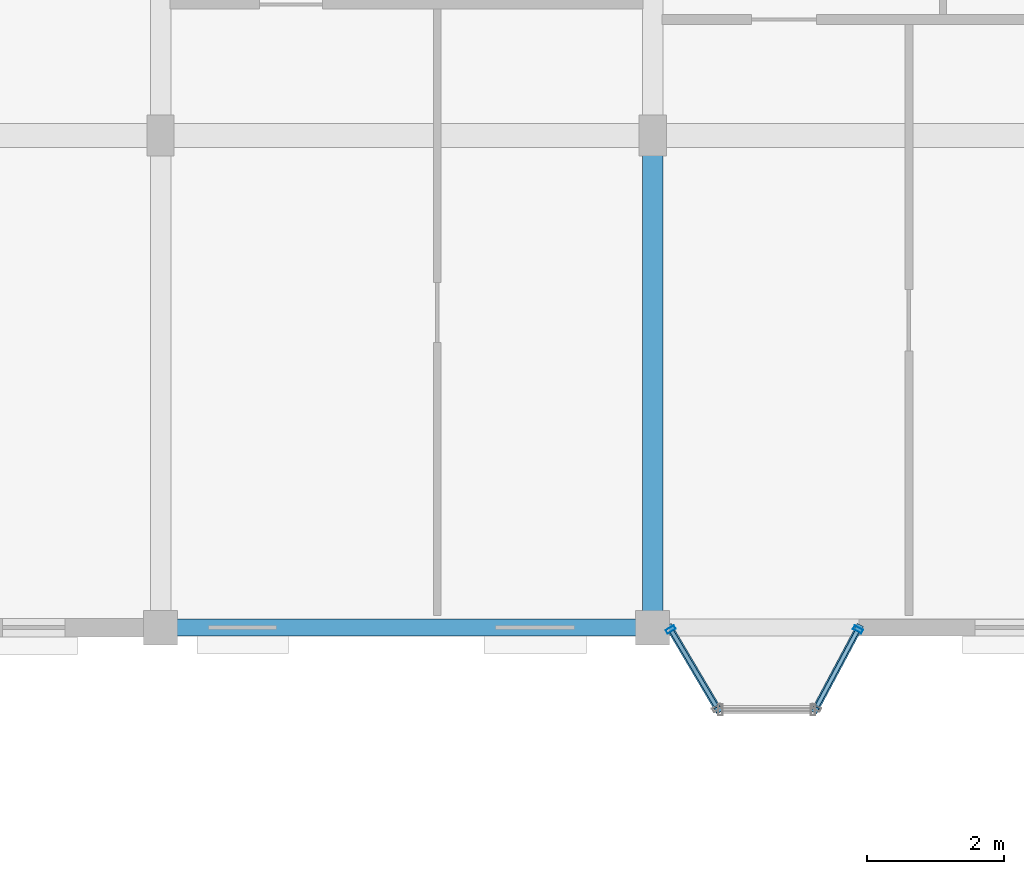
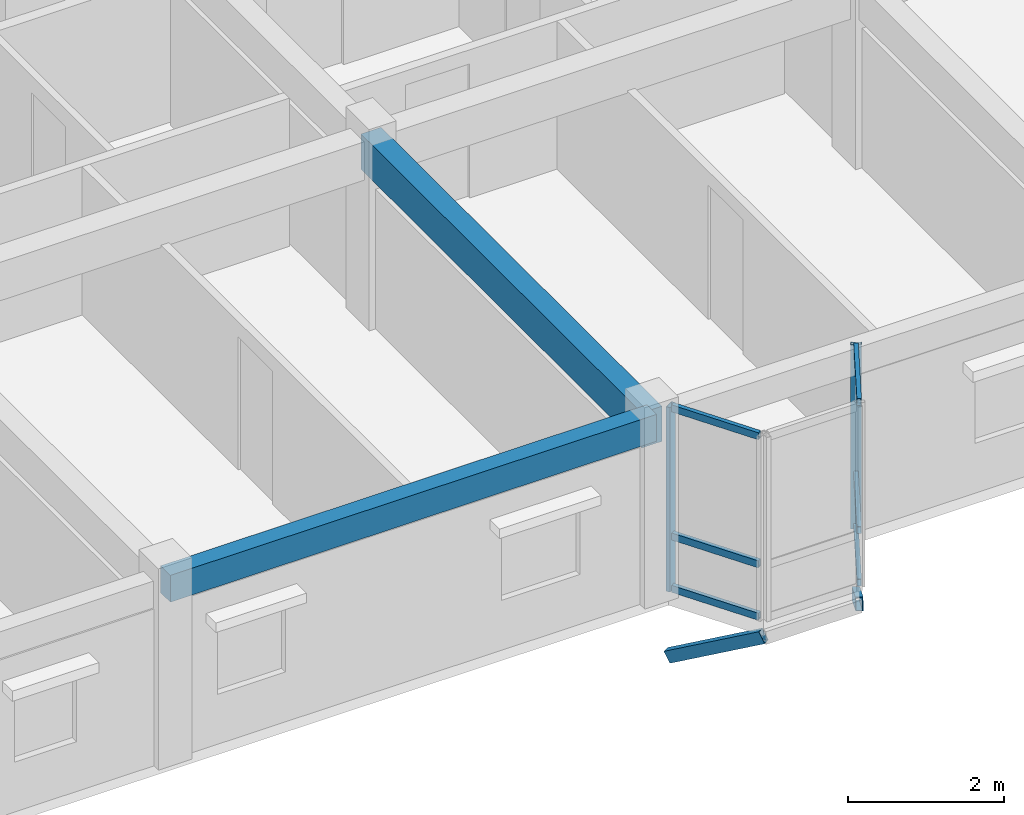
# One storey, part 30 of 64: 10 members, 2 beams, 2 elements without a shape of their own.
"""IFC4 building model written with IfcOpenShell, lengths in metres."""

from ifc_helpers import new_model, si_unit, direction, frame, origin, origin_2d, place, context, subcontext, project, spatial, rectangle, hollow_rectangle, extrude, material, layer, layer_set, material_profile, profile_set, type_object, element, aggregate, save


model = new_model("IFC4")

# Units and contexts
model_context = context("Model", 3, precision=1e-05, world=origin(), true_north=direction((0.0, 1.0)))
body_context = subcontext(model_context, "Body", "Model", "MODEL_VIEW")
ifc_project = project(units=[si_unit("LENGTHUNIT", "METRE"), si_unit("AREAUNIT", "SQUARE_METRE"), si_unit("VOLUMEUNIT", "CUBIC_METRE"), si_unit("PLANEANGLEUNIT", "RADIAN"), si_unit("MASSUNIT", "GRAM", prefix="KILO"), si_unit("THERMODYNAMICTEMPERATUREUNIT", "KELVIN"), si_unit("POWERUNIT", "WATT")], contexts=[model_context])

# Site, building, storey
site_placement = place(None, origin())
site = spatial("IfcSite", under=ifc_project, at=site_placement, CompositionType="ELEMENT")
building_placement = place(site_placement, origin())
building = spatial("IfcBuilding", under=site, at=building_placement, Name="Tavuni Mirador Residences", CompositionType="ELEMENT")
storey_placement = place(building_placement, frame((0.0, 0.0, 26.550048828125)))
storey = spatial("IfcBuildingStorey", under=building, at=storey_placement, Name="L08", CompositionType="ELEMENT", Elevation=26.550048828125)

# Beams
ifc_material_1 = material(Name="Precast concrete C40/50", Category="concrete")
ifc_material_profile_1 = material_profile(ifc_material_1, rectangle(XDim=0.300048828125, YDim=0.550048828125, at=origin_2d()), Name="PC 300x550", Category="concrete")
ifc_profile_set_1 = profile_set([ifc_material_profile_1], Name="Precast concrete C40/50")
beam_type_1 = type_object("IfcBeamType", Name="BT-B550", PredefinedType="BEAM", material=ifc_profile_set_1)
beam_1_placement = place(storey_placement, frame((46.800048828125, 144.0, 2.60986328125), z_axis=(0.0, 1.0, 0.0), x_axis=(-1.0, 0.0, 0.0)))
element("IfcBeam", 1, at=beam_1_placement, inside=storey, type_object=beam_type_1, Name="BMY-BLK-C-L08-05-00", PredefinedType="BEAM", context=body_context, shape_type="SweptSolid", body=[
    extrude(rectangle(XDim=0.300048828125, YDim=0.550048828125, at=origin_2d()), origin(), (0.0, 0.0, 1.0), 7.199951171875),
])
ifc_material_profile_2 = material_profile(ifc_material_1, rectangle(XDim=0.25, YDim=0.419921875, at=origin_2d()), Name="PC 250x420", Category="concrete")
ifc_profile_set_2 = profile_set([ifc_material_profile_2], Name="Precast concrete C40/50")
beam_type_2 = type_object("IfcBeamType", Name="BT-SP420", PredefinedType="SPANDREL", material=ifc_profile_set_2)
beam_2_placement = place(storey_placement, frame((39.60009765625, 144.0, 2.675048828125), z_axis=(1.0, 0.0, 0.0), x_axis=(0.0, 1.0, 0.0)))
element("IfcBeam", 2, at=beam_2_placement, inside=storey, type_object=beam_type_2, Name="BMX-BLK-C-L08-04-00", PredefinedType="SPANDREL", context=body_context, shape_type="SweptSolid", body=[
    extrude(rectangle(XDim=0.25, YDim=0.419921875, at=origin_2d()), origin(), (0.0, 0.0, 1.0), 7.199951171875),
])

# Curtain wall, member
ifc_material_2 = material(Name="Anodised aluminium", Category="aluminium")
ifc_layer_1 = layer(ifc_material_2, 0.1650390625, Name="Anodised aluminium", Category="aluminium")
ifc_layer_set_1 = layer_set([ifc_layer_1], Name="Anodised aluminium")
curtain_wall_type_1 = type_object("IfcCurtainWallType", Name="CWT-MIR-A", PredefinedType="NOTDEFINED", material=ifc_layer_set_1)
curtain_wall_1_placement = place(storey_placement, origin())
curtain_wall_1 = element("IfcCurtainWall", 3, at=curtain_wall_1_placement, inside=storey, type_object=curtain_wall_type_1, Name="CW-MIR-C-S3-L08-M1", PredefinedType="NOTDEFINED")
ifc_material_profile_3 = material_profile(ifc_material_2, hollow_rectangle(XDim=0.06005859375, YDim=0.139892578125, WallThickness=0.00390625, at=origin_2d()), Name="ALU 60x140x4.0", Category="aluminium")
ifc_profile_set_3 = profile_set([ifc_material_profile_3], Name="Anodised aluminium")
member_type_1 = type_object("IfcMemberType", Name="CWM-140", PredefinedType="MULLION", material=ifc_profile_set_3)
member_1_placement = place(storey_placement, frame((47.065185546875, 143.97412109375, 0.0), z_axis=(0.0, 0.0, 1.0), x_axis=(0.509212491254, -0.860640830284, 0.0)))
member_1 = element("IfcMember", 4, at=member_1_placement, type_object=member_type_1, Name="CW-01 mullion 1", PredefinedType="MULLION", context=body_context, shape_type="SweptSolid", body=[
    extrude(hollow_rectangle(XDim=0.06005859375, YDim=0.139892578125, WallThickness=0.00390625, at=origin_2d()), origin(), (0.0, 0.0, 1.0), 2.885009765625),
])

ifc_layer_2 = layer(ifc_material_2, 0.175048828125, Name="Anodised aluminium", Category="aluminium")
ifc_layer_set_2 = layer_set([ifc_layer_2], Name="Anodised aluminium")
curtain_wall_type_2 = type_object("IfcCurtainWallType", Name="CWT-MIR-C", PredefinedType="NOTDEFINED", material=ifc_layer_set_2)
curtain_wall_2_placement = place(storey_placement, origin())
curtain_wall_2 = element("IfcCurtainWall", 5, at=curtain_wall_2_placement, inside=storey, type_object=curtain_wall_type_2, Name="CW-MIR-C-S3-L08-M2", PredefinedType="NOTDEFINED")
member_2_placement = place(storey_placement, frame((49.805908203125, 143.9736328125, 0.0), z_axis=(0.0, 0.0, 1.0), x_axis=(0.470588235296, 0.882352941175, 0.0)))
member_2 = element("IfcMember", 6, at=member_2_placement, type_object=member_type_1, Name="CW-03 mullion 2", PredefinedType="MULLION", context=body_context, shape_type="SweptSolid", body=[
    extrude(hollow_rectangle(XDim=0.06005859375, YDim=0.139892578125, WallThickness=0.00390625, at=origin_2d()), origin(), (0.0, 0.0, 1.0), 2.885009765625),
])

# Member
ifc_material_profile_4 = material_profile(ifc_material_2, hollow_rectangle(XDim=0.06005859375, YDim=0.110107421875, WallThickness=0.00390625, at=origin_2d()), Name="ALU 60x110x4.0", Category="aluminium")
ifc_profile_set_4 = profile_set([ifc_material_profile_4], Name="Anodised aluminium")
member_type_2 = type_object("IfcMemberType", Name="CWT-110", PredefinedType="USERDEFINED", material=ifc_profile_set_4)
member_3_placement = place(storey_placement, frame((47.08056640625, 143.9482421875, 0.030029296875), z_axis=(0.509245603452, -0.860621238039, 0.0), x_axis=(0.860621238039, 0.509245603452, 0.0)))
member_3 = element("IfcMember", 7, at=member_3_placement, type_object=member_type_2, Name="CW-01 transom 1.1", ObjectType="TRANSOM", PredefinedType="USERDEFINED", context=body_context, shape_type="SweptSolid", body=[
    extrude(hollow_rectangle(XDim=0.06005859375, YDim=0.110107421875, WallThickness=0.00390625, at=origin_2d()), origin(), (0.0, 0.0, 1.0), 1.274169921875),
])

member_4_placement = place(storey_placement, frame((47.08056640625, 143.9482421875, 0.849853515625), z_axis=(0.509245603452, -0.860621238039, 0.0), x_axis=(0.860621238039, 0.509245603452, 0.0)))
member_4 = element("IfcMember", 8, at=member_4_placement, type_object=member_type_2, Name="CW-01 transom 1.2", ObjectType="TRANSOM", PredefinedType="USERDEFINED", context=body_context, shape_type="SweptSolid", body=[
    extrude(hollow_rectangle(XDim=0.06005859375, YDim=0.110107421875, WallThickness=0.00390625, at=origin_2d()), origin(), (0.0, 0.0, 1.0), 1.274169921875),
])

member_5_placement = place(storey_placement, frame((47.08056640625, 143.9482421875, 2.85498046875), z_axis=(0.509245603452, -0.860621238039, 0.0), x_axis=(0.860621238039, 0.509245603452, 0.0)))
member_5 = element("IfcMember", 9, at=member_5_placement, type_object=member_type_2, Name="CW-01 transom 1.3", ObjectType="TRANSOM", PredefinedType="USERDEFINED", context=body_context, shape_type="SweptSolid", body=[
    extrude(hollow_rectangle(XDim=0.06005859375, YDim=0.110107421875, WallThickness=0.00390625, at=origin_2d()), origin(), (0.0, 0.0, 1.0), 1.274169921875),
])

aggregate(curtain_wall_1, [member_1, member_3, member_4, member_5])

member_6_placement = place(storey_placement, frame((49.208251953125, 142.85302734375, 0.030029296875), z_axis=(0.470608675382, 0.882342039492, 0.0), x_axis=(-0.882342039492, 0.470608675382, 0.0)))
member_6 = element("IfcMember", 10, at=member_6_placement, type_object=member_type_2, Name="CW-03 transom 1.1", ObjectType="TRANSOM", PredefinedType="USERDEFINED", context=body_context, shape_type="SweptSolid", body=[
    extrude(hollow_rectangle(XDim=0.06005859375, YDim=0.110107421875, WallThickness=0.00390625, at=origin_2d()), origin(), (0.0, 0.0, 1.0), 1.239990234375),
])

member_7_placement = place(storey_placement, frame((49.208251953125, 142.85302734375, 0.849853515625), z_axis=(0.470608675382, 0.882342039492, 0.0), x_axis=(-0.882342039492, 0.470608675382, 0.0)))
member_7 = element("IfcMember", 11, at=member_7_placement, type_object=member_type_2, Name="CW-03 transom 1.2", ObjectType="TRANSOM", PredefinedType="USERDEFINED", context=body_context, shape_type="SweptSolid", body=[
    extrude(hollow_rectangle(XDim=0.06005859375, YDim=0.110107421875, WallThickness=0.00390625, at=origin_2d()), origin(), (0.0, 0.0, 1.0), 1.239990234375),
])

member_8_placement = place(storey_placement, frame((49.208251953125, 142.85302734375, 2.85498046875), z_axis=(0.470608675382, 0.882342039492, 0.0), x_axis=(-0.882342039492, 0.470608675382, 0.0)))
member_8 = element("IfcMember", 12, at=member_8_placement, type_object=member_type_2, Name="CW-03 transom 1.3", ObjectType="TRANSOM", PredefinedType="USERDEFINED", context=body_context, shape_type="SweptSolid", body=[
    extrude(hollow_rectangle(XDim=0.06005859375, YDim=0.110107421875, WallThickness=0.00390625, at=origin_2d()), origin(), (0.0, 0.0, 1.0), 1.239990234375),
])

aggregate(curtain_wall_2, [member_2, member_6, member_7, member_8])

# Members
ifc_material_3 = material(Name="Structural steel S355", Category="steel")
ifc_material_profile_5 = material_profile(ifc_material_3, hollow_rectangle(XDim=0.10009765625, YDim=0.179931640625, WallThickness=0.008056640625, at=origin_2d()), Name="RHS 180x100x8.0", Category="steel")
ifc_profile_set_5 = profile_set([ifc_material_profile_5], Name="Structural steel S355")
member_type_3 = type_object("IfcMemberType", Name="MT-BR-RHS180", PredefinedType="BRACE", material=ifc_profile_set_5)
member_9_placement = place(storey_placement, frame((47.050048828125, 144.0, -1.050048828125), z_axis=(0.443724340816, -0.74996737796, 0.490568691789), x_axis=(0.860644027762, 0.509207087026, 0.0)))
element("IfcMember", 13, at=member_9_placement, inside=storey, type_object=member_type_3, Name="MBRK-MIR-C-S3-L08-1", PredefinedType="BRACE", context=body_context, shape_type="SweptSolid", body=[
    extrude(hollow_rectangle(XDim=0.10009765625, YDim=0.179931640625, WallThickness=0.008056640625, at=origin_2d()), origin(), (0.0, 0.0, 1.0), 1.60009765625),
])
member_10_placement = place(storey_placement, frame((49.820068359375, 144.0, -1.050048828125), z_axis=(-0.407660536563, -0.76416915988, 0.499858361956), x_axis=(0.882303244255, -0.470681405175, 0.0)))
element("IfcMember", 14, at=member_10_placement, inside=storey, type_object=member_type_3, Name="MBRK-MIR-C-S3-L08-2", PredefinedType="BRACE", context=body_context, shape_type="SweptSolid", body=[
    extrude(hollow_rectangle(XDim=0.10009765625, YDim=0.179931640625, WallThickness=0.008056640625, at=origin_2d()), origin(), (0.0, 0.0, 1.0), 1.5703125),
])

save(model, "model.ifc")
